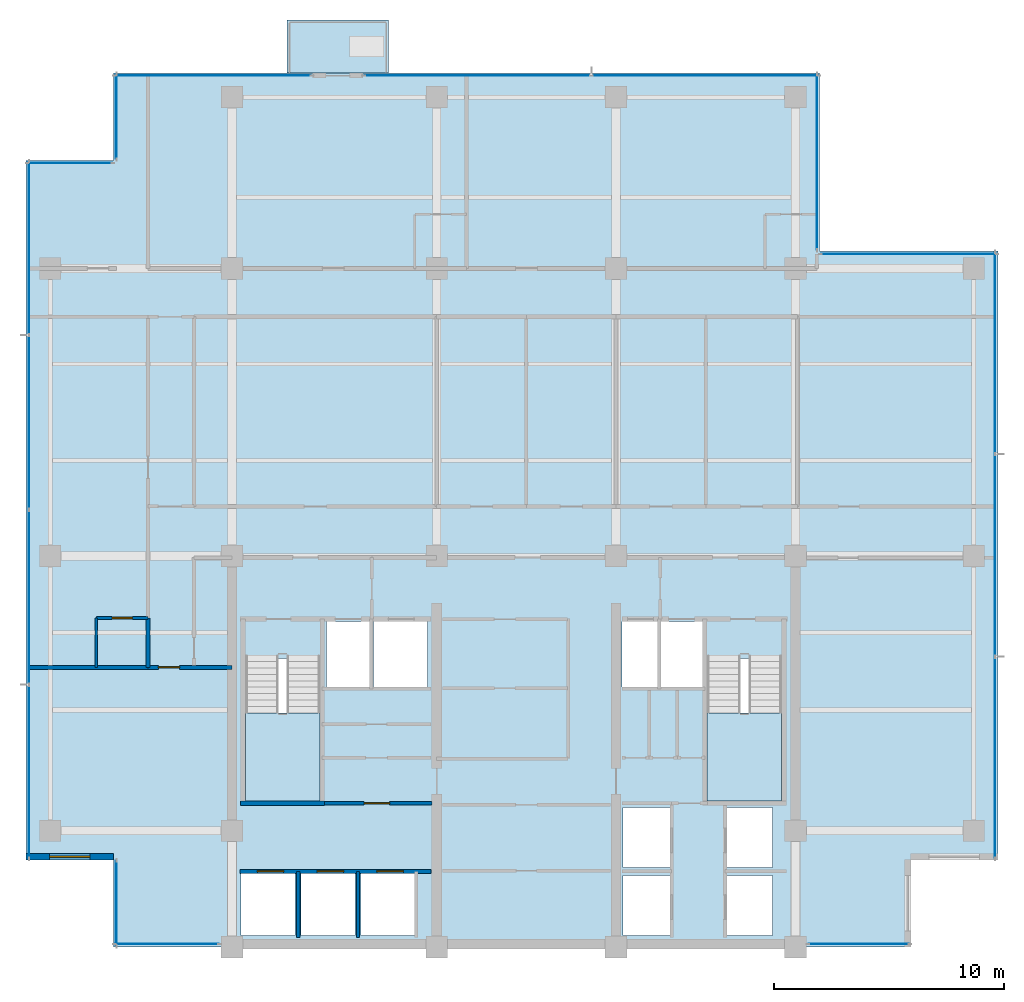
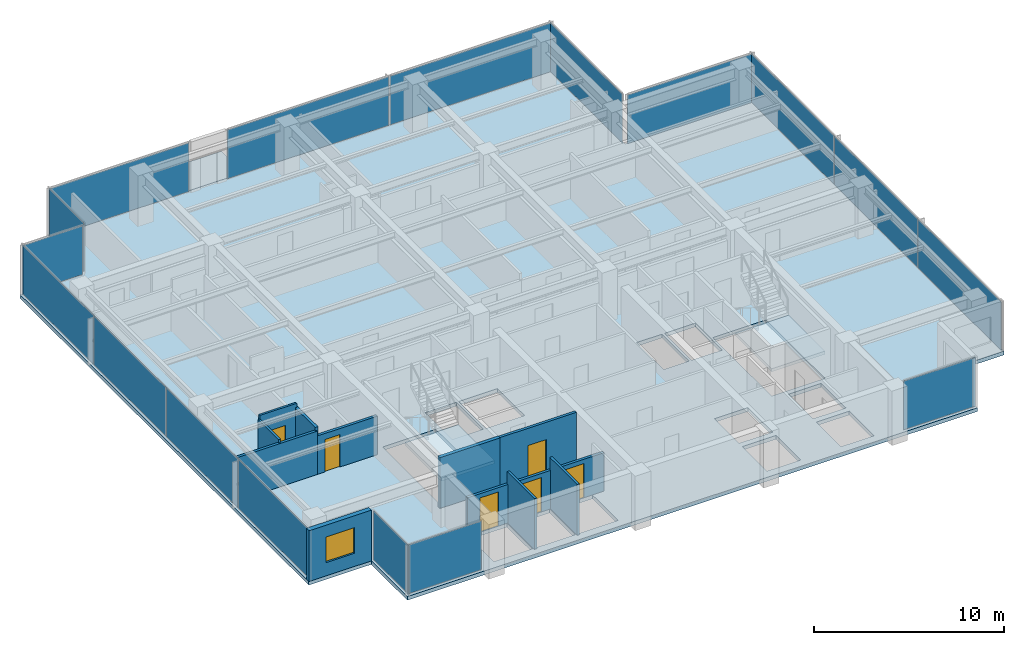
# One storey, part 6 of 14: 17 plates, 11 walls, 6 doors, 4 slabs, 1 window, 7 openings, 13 elements without a shape of their own.
"""IFC4 building model written with IfcOpenShell, lengths in metres."""

from ifc_helpers import new_model, si_unit, direction, frame, frame_2d, origin, origin_2d, place, context, subcontext, project, spatial, polyline, rectangle, outline, extrude, material, layer, layer_set, type_object, element, fill, aggregate, save


model = new_model("IFC4")

# Units and contexts
model_context = context("Model", 3, precision=1e-05, world=origin(), true_north=direction((0.0, 1.0)))
body_context = subcontext(model_context, "Body", "Model", "MODEL_VIEW")
ifc_project = project(units=[si_unit("LENGTHUNIT", "METRE"), si_unit("AREAUNIT", "SQUARE_METRE"), si_unit("VOLUMEUNIT", "CUBIC_METRE"), si_unit("PLANEANGLEUNIT", "RADIAN"), si_unit("MASSUNIT", "GRAM", prefix="KILO")], contexts=[model_context])

# Site, building, storey
site_placement = place(None, origin())
site = spatial("IfcSite", under=ifc_project, at=site_placement, CompositionType="ELEMENT")
building_placement = place(site_placement, origin())
building = spatial("IfcBuilding", under=site, at=building_placement, Name="Qalmaran Belvedere Hotel", CompositionType="ELEMENT")
storey_placement = place(building_placement, frame((0.0, 0.0, 217.89990234375)))
storey = spatial("IfcBuildingStorey", under=building, at=storey_placement, Name="L55", CompositionType="ELEMENT", Elevation=217.89990234375)

# Curtain wall, plate
ifc_material_1 = material(Name="Anodised Bronze Aluminium", Category="aluminium")
ifc_layer_1 = layer(ifc_material_1, 0.18994140625, Name="Anodised Bronze Aluminium")
ifc_layer_set_1 = layer_set([ifc_layer_1], Name="Anodised Bronze Aluminium")
curtain_wall_type = type_object("IfcCurtainWallType", Name="CW5-TOWER-UPPER", PredefinedType="NOTDEFINED", material=ifc_layer_set_1)
curtain_wall_1_placement = place(storey_placement, origin())
curtain_wall_1 = element("IfcCurtainWall", 1, at=curtain_wall_1_placement, inside=storey, type_object=curtain_wall_type, Name="L55 Curtain Wall CW5", PredefinedType="NOTDEFINED")
ifc_material_2 = material(Name="Solar-Control Double Glazing", Category="glass")
ifc_layer_2 = layer(ifc_material_2, 0.028076171875, Name="Solar-Control Double Glazing")
ifc_layer_set_2 = layer_set([ifc_layer_2], Name="Solar-Control Double Glazing")
plate_type = type_object("IfcPlateType", Name="CWP-VISION-28", PredefinedType="CURTAIN_PANEL", material=ifc_layer_set_2)
plate_1_placement = place(storey_placement, frame((17.467529296875, 3.6201171875, 0.065185546875), z_axis=(0.0, 0.0, 1.0), x_axis=(1.0, 0.0, 0.0)))
plate_1 = element("IfcPlate", 2, at=plate_1_placement, type_object=plate_type, Name="CW5 panel 1.1", PredefinedType="CURTAIN_PANEL", context=body_context, shape_type="SweptSolid", body=[
    extrude(rectangle(XDim=4.5048828125, YDim=0.028076171875, at=origin_2d()), origin(), (0.0, 0.0, 1.0), 3.1298828125),
])
aggregate(curtain_wall_1, [plate_1])

curtain_wall_2_placement = place(storey_placement, origin())
curtain_wall_2 = element("IfcCurtainWall", 3, at=curtain_wall_2_placement, inside=storey, type_object=curtain_wall_type, Name="L55 Curtain Wall CW5", PredefinedType="NOTDEFINED")
plate_2_placement = place(storey_placement, frame((47.5576171875, 3.6201171875, 0.065185546875), z_axis=(0.0, 0.0, 1.0), x_axis=(1.0, 0.0, 0.0)))
plate_2 = element("IfcPlate", 4, at=plate_2_placement, type_object=plate_type, Name="CW5 panel 1.1", PredefinedType="CURTAIN_PANEL", context=body_context, shape_type="SweptSolid", body=[
    extrude(rectangle(XDim=4.35498046875, YDim=0.028076171875, at=origin_2d()), origin(), (0.0, 0.0, 1.0), 3.1298828125),
])
aggregate(curtain_wall_2, [plate_2])

# Curtain wall, plates
curtain_wall_3_placement = place(storey_placement, origin())
curtain_wall_3 = element("IfcCurtainWall", 5, at=curtain_wall_3_placement, inside=storey, type_object=curtain_wall_type, Name="L55 Curtain Wall CW5", PredefinedType="NOTDEFINED")
plate_3_placement = place(storey_placement, frame((53.47998046875, 11.724609375, 0.065185546875), z_axis=(0.0, 0.0, 1.0), x_axis=(0.0, 1.0, 0.0)))
plate_3 = element("IfcPlate", 6, at=plate_3_placement, type_object=plate_type, Name="CW5 panel 1.1", PredefinedType="CURTAIN_PANEL", context=body_context, shape_type="SweptSolid", body=[
    extrude(rectangle(XDim=8.71923828125, YDim=0.028076171875, at=origin_2d()), origin(), (0.0, 0.0, 1.0), 3.1298828125),
])
plate_4_placement = place(storey_placement, frame((53.47998046875, 20.52490234375, 0.065185546875), z_axis=(0.0, 0.0, 1.0), x_axis=(0.0, 1.0, 0.0)))
plate_4 = element("IfcPlate", 7, at=plate_4_placement, type_object=plate_type, Name="CW5 panel 2.1", PredefinedType="CURTAIN_PANEL", context=body_context, shape_type="SweptSolid", body=[
    extrude(rectangle(XDim=8.751708984375, YDim=0.028076171875, at=origin_2d()), origin(), (0.0, 0.0, 1.0), 3.1298828125),
])
plate_5_placement = place(storey_placement, frame((53.47998046875, 29.325439453125, 0.065185546875), z_axis=(0.0, 0.0, 1.0), x_axis=(0.0, 1.0, 0.0)))
plate_5 = element("IfcPlate", 8, at=plate_5_placement, type_object=plate_type, Name="CW5 panel 3.1", PredefinedType="CURTAIN_PANEL", context=body_context, shape_type="SweptSolid", body=[
    extrude(rectangle(XDim=8.71923828125, YDim=0.028076171875, at=origin_2d()), origin(), (0.0, 0.0, 1.0), 3.1298828125),
])
aggregate(curtain_wall_3, [plate_3, plate_4, plate_5])

# Curtain wall, plate
curtain_wall_4_placement = place(storey_placement, origin())
curtain_wall_4 = element("IfcCurtainWall", 9, at=curtain_wall_4_placement, inside=storey, type_object=curtain_wall_type, Name="L55 Curtain Wall CW5", PredefinedType="NOTDEFINED")
plate_6_placement = place(storey_placement, frame((49.72509765625, 33.6298828125, 0.065185546875), z_axis=(0.0, 0.0, 1.0), x_axis=(-1.0, 0.0, 0.0)))
plate_6 = element("IfcPlate", 10, at=plate_6_placement, type_object=plate_type, Name="CW5 panel 1.1", PredefinedType="CURTAIN_PANEL", context=body_context, shape_type="SweptSolid", body=[
    extrude(rectangle(XDim=7.6201171875, YDim=0.028076171875, at=origin_2d()), origin(), (0.0, 0.0, 1.0), 3.1298828125),
])
aggregate(curtain_wall_4, [plate_6])

curtain_wall_5_placement = place(storey_placement, origin())
curtain_wall_5 = element("IfcCurtainWall", 11, at=curtain_wall_5_placement, inside=storey, type_object=curtain_wall_type, Name="L55 Curtain Wall CW5", PredefinedType="NOTDEFINED")
plate_7_placement = place(storey_placement, frame((45.72998046875, 37.625, 0.065185546875), z_axis=(0.0, 0.0, 1.0), x_axis=(0.0, 1.0, 0.0)))
plate_7 = element("IfcPlate", 12, at=plate_7_placement, type_object=plate_type, Name="CW5 panel 1.1", PredefinedType="CURTAIN_PANEL", context=body_context, shape_type="SweptSolid", body=[
    extrude(rectangle(XDim=7.6201171875, YDim=0.028076171875, at=origin_2d()), origin(), (0.0, 0.0, 1.0), 3.1298828125),
])
aggregate(curtain_wall_5, [plate_7])

curtain_wall_6_placement = place(storey_placement, origin())
curtain_wall_6 = element("IfcCurtainWall", 13, at=curtain_wall_6_placement, inside=storey, type_object=curtain_wall_type, Name="L55 Curtain Wall CW5", PredefinedType="NOTDEFINED")
plate_8_placement = place(storey_placement, frame((19.47509765625, 41.3798828125, 0.065185546875), z_axis=(0.0, 0.0, 1.0), x_axis=(-1.0, 0.0, 0.0)))
plate_8 = element("IfcPlate", 14, at=plate_8_placement, type_object=plate_type, Name="CW5 panel 1.1", PredefinedType="CURTAIN_PANEL", context=body_context, shape_type="SweptSolid", body=[
    extrude(rectangle(XDim=8.52001953125, YDim=0.028076171875, at=origin_2d()), origin(), (0.0, 0.0, 1.0), 3.1298828125),
])
aggregate(curtain_wall_6, [plate_8])

# Curtain wall, plates
curtain_wall_7_placement = place(storey_placement, origin())
curtain_wall_7 = element("IfcCurtainWall", 15, at=curtain_wall_7_placement, inside=storey, type_object=curtain_wall_type, Name="L55 Curtain Wall CW5", PredefinedType="NOTDEFINED")
plate_9_placement = place(storey_placement, frame((40.871337890625, 41.3798828125, 0.065185546875), z_axis=(0.0, 0.0, 1.0), x_axis=(-1.0, 0.0, 0.0)))
plate_9 = element("IfcPlate", 16, at=plate_9_placement, type_object=plate_type, Name="CW5 panel 1.1", PredefinedType="CURTAIN_PANEL", context=body_context, shape_type="SweptSolid", body=[
    extrude(rectangle(XDim=9.827392578125, YDim=0.028076171875, at=origin_2d()), origin(), (0.0, 0.0, 1.0), 3.1298828125),
])
plate_10_placement = place(storey_placement, frame((30.978759765625, 41.3798828125, 0.065185546875), z_axis=(0.0, 0.0, 1.0), x_axis=(-1.0, 0.0, 0.0)))
plate_10 = element("IfcPlate", 17, at=plate_10_placement, type_object=plate_type, Name="CW5 panel 2.1", PredefinedType="CURTAIN_PANEL", context=body_context, shape_type="SweptSolid", body=[
    extrude(rectangle(XDim=9.827392578125, YDim=0.028076171875, at=origin_2d()), origin(), (0.0, 0.0, 1.0), 3.1298828125),
])
aggregate(curtain_wall_7, [plate_9, plate_10])

# Curtain wall, plate
curtain_wall_8_placement = place(storey_placement, origin())
curtain_wall_8 = element("IfcCurtainWall", 18, at=curtain_wall_8_placement, inside=storey, type_object=curtain_wall_type, Name="L55 Curtain Wall CW5", PredefinedType="NOTDEFINED")
plate_11_placement = place(storey_placement, frame((15.27001953125, 39.60009765625, 0.065185546875), z_axis=(0.0, 0.0, 1.0), x_axis=(0.0, -1.0, 0.0)))
plate_11 = element("IfcPlate", 19, at=plate_11_placement, type_object=plate_type, Name="CW5 panel 1.1", PredefinedType="CURTAIN_PANEL", context=body_context, shape_type="SweptSolid", body=[
    extrude(rectangle(XDim=3.669921875, YDim=0.028076171875, at=origin_2d()), origin(), (0.0, 0.0, 1.0), 3.1298828125),
])
aggregate(curtain_wall_8, [plate_11])

curtain_wall_9_placement = place(storey_placement, origin())
curtain_wall_9 = element("IfcCurtainWall", 20, at=curtain_wall_9_placement, inside=storey, type_object=curtain_wall_type, Name="L55 Curtain Wall CW5", PredefinedType="NOTDEFINED")
plate_12_placement = place(storey_placement, frame((13.25, 37.580078125, 0.065185546875), z_axis=(0.0, 0.0, 1.0), x_axis=(-1.0, 0.0, 0.0)))
plate_12 = element("IfcPlate", 21, at=plate_12_placement, type_object=plate_type, Name="CW5 panel 1.1", PredefinedType="CURTAIN_PANEL", context=body_context, shape_type="SweptSolid", body=[
    extrude(rectangle(XDim=3.669921875, YDim=0.028076171875, at=origin_2d()), origin(), (0.0, 0.0, 1.0), 3.1298828125),
])
aggregate(curtain_wall_9, [plate_12])

# Curtain wall, plates
curtain_wall_10_placement = place(storey_placement, origin())
curtain_wall_10 = element("IfcCurtainWall", 22, at=curtain_wall_10_placement, inside=storey, type_object=curtain_wall_type, Name="L55 Curtain Wall CW5", PredefinedType="NOTDEFINED")
plate_13_placement = place(storey_placement, frame((11.469970703125, 33.8837890625, 0.065185546875), z_axis=(0.0, 0.0, 1.0), x_axis=(0.0, -1.0, 0.0)))
plate_13 = element("IfcPlate", 23, at=plate_13_placement, type_object=plate_type, Name="CW5 panel 1.1", PredefinedType="CURTAIN_PANEL", context=body_context, shape_type="SweptSolid", body=[
    extrude(rectangle(XDim=7.50244140625, YDim=0.028076171875, at=origin_2d()), origin(), (0.0, 0.0, 1.0), 3.1298828125),
])
plate_14_placement = place(storey_placement, frame((11.469970703125, 26.300048828125, 0.065185546875), z_axis=(0.0, 0.0, 1.0), x_axis=(0.0, -1.0, 0.0)))
plate_14 = element("IfcPlate", 24, at=plate_14_placement, type_object=plate_type, Name="CW5 panel 2.1", PredefinedType="CURTAIN_PANEL", context=body_context, shape_type="SweptSolid", body=[
    extrude(rectangle(XDim=7.534912109375, YDim=0.028076171875, at=origin_2d()), origin(), (0.0, 0.0, 1.0), 3.1298828125),
])
plate_15_placement = place(storey_placement, frame((11.469970703125, 18.699951171875, 0.065185546875), z_axis=(0.0, 0.0, 1.0), x_axis=(0.0, -1.0, 0.0)))
plate_15 = element("IfcPlate", 25, at=plate_15_placement, type_object=plate_type, Name="CW5 panel 3.1", PredefinedType="CURTAIN_PANEL", context=body_context, shape_type="SweptSolid", body=[
    extrude(rectangle(XDim=7.534912109375, YDim=0.028076171875, at=origin_2d()), origin(), (0.0, 0.0, 1.0), 3.1298828125),
])
plate_16_placement = place(storey_placement, frame((11.469970703125, 11.1162109375, 0.065185546875), z_axis=(0.0, 0.0, 1.0), x_axis=(0.0, -1.0, 0.0)))
plate_16 = element("IfcPlate", 26, at=plate_16_placement, type_object=plate_type, Name="CW5 panel 4.1", PredefinedType="CURTAIN_PANEL", context=body_context, shape_type="SweptSolid", body=[
    extrude(rectangle(XDim=7.50244140625, YDim=0.028076171875, at=origin_2d()), origin(), (0.0, 0.0, 1.0), 3.1298828125),
])
aggregate(curtain_wall_10, [plate_13, plate_14, plate_15, plate_16])

# Curtain wall, plate
curtain_wall_11_placement = place(storey_placement, origin())
curtain_wall_11 = element("IfcCurtainWall", 27, at=curtain_wall_11_placement, inside=storey, type_object=curtain_wall_type, Name="L55 Curtain Wall CW5", PredefinedType="NOTDEFINED")
plate_17_placement = place(storey_placement, frame((15.27001953125, 5.39990234375, 0.065185546875), z_axis=(0.0, 0.0, 1.0), x_axis=(0.0, -1.0, 0.0)))
plate_17 = element("IfcPlate", 28, at=plate_17_placement, type_object=plate_type, Name="CW5 panel 1.1", PredefinedType="CURTAIN_PANEL", context=body_context, shape_type="SweptSolid", body=[
    extrude(rectangle(XDim=3.669921875, YDim=0.028076171875, at=origin_2d()), origin(), (0.0, 0.0, 1.0), 3.1298828125),
])
aggregate(curtain_wall_11, [plate_17])

# Slab
ifc_material_3 = material(Name="Concrete C40/50", Category="concrete")
ifc_layer_3 = layer(ifc_material_3, 0.219970703125, Name="Concrete C40/50")
ifc_layer_set_3 = layer_set([ifc_layer_3], Name="Concrete C40/50")
slab_type_1 = type_object("IfcSlabType", Name="SLB-BAL-220", PredefinedType="USERDEFINED", material=ifc_layer_set_3)
slab_1_placement = place(storey_placement, frame((0.0, 0.0, -0.219970703125)))
element("IfcSlab", 29, at=slab_1_placement, inside=storey, type_object=slab_type_1, Name="L55 Planted Tree Balcony Slab 1", ObjectType="BALCONY", PredefinedType="USERDEFINED", context=body_context, shape_type="SweptSolid", body=[
    extrude(outline(polyline([(22.699951171875, 41.5), (27.10009765625, 41.5), (27.10009765625, 43.800048828125), (22.699951171875, 43.800048828125), (22.699951171875, 41.5)])), origin(), (0.0, 0.0, 1.0), 0.219970703125),
])

# Stair, slab
stair_type_1 = type_object("IfcStairType", Name="STR-ST-1-1450-R1750", PredefinedType="HALF_TURN_STAIR", material=ifc_material_3)
stair_1_placement = place(storey_placement, origin())
stair_1 = element("IfcStair", 30, at=stair_1_placement, inside=storey, type_object=stair_type_1, Name="L55 West Core Exit Stair ST-1", PredefinedType="HALF_TURN_STAIR")
ifc_layer_4 = layer(ifc_material_3, 0.199951171875, Name="Concrete C40/50")
ifc_layer_set_4 = layer_set([ifc_layer_4], Name="Concrete C40/50")
slab_type_2 = type_object("IfcSlabType", Name="SLB-STAIR-LANDING-200", PredefinedType="LANDING", material=ifc_layer_set_4)
slab_2_placement = place(storey_placement, frame((0.0, 0.0, 1.550048828125)))
slab_2 = element("IfcSlab", 31, at=slab_2_placement, type_object=slab_type_2, Name="ST-1 landing 1", PredefinedType="LANDING", context=body_context, shape_type="SweptSolid", body=[
    extrude(outline(polyline([(20.8798828125, 13.669921875), (20.8798828125, 9.85009765625), (24.1201171875, 9.85009765625), (24.1201171875, 13.669921875), (20.8798828125, 13.669921875)])), origin(), (0.0, 0.0, 1.0), 0.199951171875),
])
aggregate(stair_1, [slab_2])

stair_type_2 = type_object("IfcStairType", Name="STR-ST-2-1450-R1750", PredefinedType="HALF_TURN_STAIR", material=ifc_material_3)
stair_2_placement = place(storey_placement, origin())
stair_2 = element("IfcStair", 32, at=stair_2_placement, inside=storey, type_object=stair_type_2, Name="L55 East Core Exit Stair ST-2", PredefinedType="HALF_TURN_STAIR")
slab_3_placement = place(storey_placement, frame((0.0, 0.0, 1.550048828125)))
slab_3 = element("IfcSlab", 33, at=slab_3_placement, type_object=slab_type_2, Name="ST-2 landing 1", PredefinedType="LANDING", context=body_context, shape_type="SweptSolid", body=[
    extrude(outline(polyline([(40.9599609375, 13.669921875), (40.9599609375, 9.85009765625), (44.199951171875, 9.85009765625), (44.199951171875, 13.669921875), (40.9599609375, 13.669921875)])), origin(), (0.0, 0.0, 1.0), 0.199951171875),
])
aggregate(stair_2, [slab_3])

# Slab
ifc_layer_5 = layer(ifc_material_3, 0.239990234375, Name="Concrete C40/50")
ifc_layer_set_5 = layer_set([ifc_layer_5], Name="Concrete C40/50")
slab_type_3 = type_object("IfcSlabType", Name="SLB-Z4-240", PredefinedType="FLOOR", material=ifc_layer_set_5)
slab_4_placement = place(storey_placement, frame((0.0, 0.0, -0.239990234375)))
element("IfcSlab", 34, at=slab_4_placement, inside=storey, type_object=slab_type_3, Name="L55 Structural Floor Slab", PredefinedType="FLOOR", context=body_context, shape_type="SweptSolid", body=[
    extrude(outline(polyline([(15.14990234375, 3.5), (49.800048828125, 3.5), (49.800048828125, 7.300048828125), (53.60009765625, 7.300048828125), (53.60009765625, 33.75), (45.85009765625, 33.75), (45.85009765625, 41.5), (15.14990234375, 41.5), (15.14990234375, 37.699951171875), (11.35009765625, 37.699951171875), (11.35009765625, 7.300048828125), (15.14990234375, 7.300048828125), (15.14990234375, 3.5)]), holes=[polyline([(20.8798828125, 9.85009765625), (24.1201171875, 9.85009765625), (24.1201171875, 16.0400390625), (20.8798828125, 16.0400390625), (20.8798828125, 9.85009765625)]), polyline([(40.9599609375, 9.85009765625), (44.199951171875, 9.85009765625), (44.199951171875, 16.0400390625), (40.9599609375, 16.0400390625), (40.9599609375, 9.85009765625)]), polyline([(37.300048828125, 4.0), (39.35009765625, 4.0), (39.35009765625, 6.60009765625), (37.300048828125, 6.60009765625), (37.300048828125, 4.0)]), polyline([(37.300048828125, 6.949951171875), (39.35009765625, 6.949951171875), (39.35009765625, 9.550048828125), (37.300048828125, 9.550048828125), (37.300048828125, 6.949951171875)]), polyline([(41.800048828125, 4.0), (43.800048828125, 4.0), (43.800048828125, 6.60009765625), (41.800048828125, 6.60009765625), (41.800048828125, 4.0)]), polyline([(41.800048828125, 6.949951171875), (43.800048828125, 6.949951171875), (43.800048828125, 9.550048828125), (41.800048828125, 9.550048828125), (41.800048828125, 6.949951171875)]), polyline([(20.699951171875, 4.0), (23.050048828125, 4.0), (23.050048828125, 6.699951171875), (20.699951171875, 6.699951171875), (20.699951171875, 4.0)]), polyline([(23.300048828125, 4.0), (25.64990234375, 4.0), (25.64990234375, 6.699951171875), (23.300048828125, 6.699951171875), (23.300048828125, 4.0)]), polyline([(25.89990234375, 4.0), (28.25, 4.0), (28.25, 6.699951171875), (25.89990234375, 6.699951171875), (25.89990234375, 4.0)]), polyline([(24.39990234375, 14.800048828125), (26.300048828125, 14.800048828125), (26.300048828125, 17.64990234375), (24.39990234375, 17.64990234375), (24.39990234375, 14.800048828125)]), polyline([(38.949951171875, 14.800048828125), (40.820068359375, 14.800048828125), (40.820068359375, 17.64990234375), (38.949951171875, 17.64990234375), (38.949951171875, 14.800048828125)]), polyline([(26.449951171875, 14.800048828125), (28.800048828125, 14.800048828125), (28.800048828125, 17.64990234375), (26.449951171875, 17.64990234375), (26.449951171875, 14.800048828125)]), polyline([(37.25, 14.800048828125), (38.800048828125, 14.800048828125), (38.800048828125, 17.64990234375), (37.25, 17.64990234375), (37.25, 14.800048828125)])]), origin(), (0.0, 0.0, 1.0), 0.239990234375),
])

# Wall, opening, window
ifc_material_4 = material(Name="Anodised Bronze Cladding")
ifc_layer_6 = layer(ifc_material_4, 0.280029296875, Name="Anodised Bronze Cladding")
ifc_layer_set_6 = layer_set([ifc_layer_6], Name="Anodised Bronze Cladding")
wall_type_1 = type_object("IfcWallType", Name="WL-EXT-BRNZ-280", PredefinedType="SOLIDWALL", material=ifc_layer_set_6)
wall_1_placement = place(storey_placement, frame((11.35009765625, 7.419921875, 0.0), z_axis=(0.0, 0.0, 1.0), x_axis=(1.0, 0.0, 0.0)))
wall_1 = element("IfcWall", 35, at=wall_1_placement, inside=storey, type_object=wall_type_1, Name="L55 Corner Notch Wall 10", PredefinedType="SOLIDWALL", context=body_context, shape_type="SweptSolid", body=[
    extrude(rectangle(XDim=3.7998046875, YDim=0.280029296875, at=frame_2d((1.89990234375, 0.0))), origin(), (0.0, 0.0, 1.0), 3.260009765625),
])
opening_1_placement = place(wall_1_placement, frame((1.02490234375, 0.0, 0.85009765625)))
opening_1 = element("IfcOpeningElement", 36, at=opening_1_placement, cuts=wall_1, Name="Opening W-N17", PredefinedType="OPENING", context=body_context, shape_type="SweptSolid", body=[
    extrude(rectangle(XDim=1.75, YDim=1.64990234375, at=frame_2d((0.875, 0.824951171875))), frame((0.0, 0.14990234375, 0.0), z_axis=(0.0, -1.0, 0.0), x_axis=(1.0, 0.0, 0.0)), (0.0, 0.0, 1.0), 0.300048828125),
])
window_type = type_object("IfcWindowType", Name="WN-NTC-1750X1650", PartitioningType="SINGLE_PANEL", PredefinedType="WINDOW", material=ifc_material_2)
window_placement = place(opening_1_placement, origin())
window = element("IfcWindow", 37, at=window_placement, inside=storey, type_object=window_type, Name="L55 Corner Notch Window 10", OverallHeight=1.64990234375, OverallWidth=1.75, PartitioningType="SINGLE_PANEL", PredefinedType="WINDOW", context=body_context, shape_type="SweptSolid", body=[
    extrude(rectangle(XDim=1.75, YDim=1.64990234375, at=frame_2d((0.875, 0.824951171875))), frame((0.0, 0.030029296875, 0.0), z_axis=(0.0, -1.0, 0.0), x_axis=(1.0, 0.0, 0.0)), (0.0, 0.0, 1.0), 0.06005859375),
])
fill(opening_1, window)

# Wall, opening, door
ifc_material_5 = material(Name="Moisture-Resistant Gypsum")
ifc_layer_7 = layer(ifc_material_5, 0.1201171875, Name="Moisture-Resistant Gypsum")
ifc_layer_set_7 = layer_set([ifc_layer_7], Name="Moisture-Resistant Gypsum")
wall_type_2 = type_object("IfcWallType", Name="WL-INT-120-BATH", PredefinedType="PARTITIONING", material=ifc_layer_set_7)
wall_2_placement = place(storey_placement, frame((14.39990234375, 17.800048828125, 0.0), z_axis=(0.0, 0.0, 1.0), x_axis=(1.0, 0.0, 0.0)))
wall_2 = element("IfcWall", 38, at=wall_2_placement, inside=storey, type_object=wall_type_2, Name="L55 Partition WL-L55-WBN00", PredefinedType="PARTITIONING", context=body_context, shape_type="SweptSolid", body=[
    extrude(rectangle(XDim=2.25, YDim=0.1201171875, at=frame_2d((1.125, 0.0))), origin(), (0.0, 0.0, 1.0), 3.260009765625),
])
opening_2_placement = place(wall_2_placement, frame((1.56494140625, 0.0, 0.0), z_axis=(0.0, 0.0, 1.0), x_axis=(-1.0, 0.0, 0.0)))
opening_2 = element("IfcOpeningElement", 39, at=opening_2_placement, cuts=wall_2, Name="Opening D-BATH", PredefinedType="OPENING", context=body_context, shape_type="SweptSolid", body=[
    extrude(rectangle(XDim=0.8798828125, YDim=2.080078125, at=frame_2d((0.43994140625, 1.0400390625))), frame((0.0, 0.070068359375, 0.0), z_axis=(0.0, -1.0, 0.0), x_axis=(1.0, 0.0, 0.0)), (0.0, 0.0, 1.0), 0.14013671875),
])
ifc_material_6 = material(Name="Engineered Oak Veneer")
door_type_1 = type_object("IfcDoorType", Name="DR-INT-BATH-880X2080", OperationType="NOTDEFINED", PredefinedType="DOOR", material=ifc_material_6)
door_1_placement = place(opening_2_placement, origin())
door_1 = element("IfcDoor", 40, at=door_1_placement, inside=storey, type_object=door_type_1, Name="L55 W Ensuite Door 01", OperationType="SINGLE_SWING_LEFT", OverallHeight=2.080078125, OverallWidth=0.8798828125, PredefinedType="DOOR", context=body_context, shape_type="SweptSolid", body=[
    extrude(rectangle(XDim=0.8798828125, YDim=2.080078125, at=frame_2d((0.43994140625, 1.0400390625))), frame((0.0, 0.02490234375, 0.0), z_axis=(0.0, -1.0, 0.0), x_axis=(1.0, 0.0, 0.0)), (0.0, 0.0, 1.0), 0.050048828125),
])
fill(opening_2, door_1)

# Walls
wall_3_placement = place(storey_placement, frame((14.39990234375, 15.64990234375, 0.0), z_axis=(0.0, 0.0, 1.0), x_axis=(0.0, 1.0, 0.0)))
element("IfcWall", 41, at=wall_3_placement, inside=storey, type_object=wall_type_2, Name="L55 Partition WL-L55-WBS00", PredefinedType="PARTITIONING", context=body_context, shape_type="SweptSolid", body=[
    extrude(rectangle(XDim=2.150146484375, YDim=0.1201171875, at=frame_2d((1.0751953125, 0.0))), origin(), (0.0, 0.0, 1.0), 2.998046875),
])
ifc_material_7 = material(Name="Gypsum Stud Partition")
ifc_layer_8 = layer(ifc_material_7, 0.14990234375, Name="Gypsum Stud Partition")
ifc_layer_set_8 = layer_set([ifc_layer_8], Name="Gypsum Stud Partition")
wall_type_3 = type_object("IfcWallType", Name="WL-INT-150-EI120", PredefinedType="PARTITIONING", material=ifc_layer_set_8)
for number, where, z_axis, x_axis, name in (
    (42, (23.179931640625, 3.89990234375, 0.0), (0.0, 0.0, 1.0), (0.0, 1.0, 0.0), "L55 Partition WL-POM1-L55"),
    (43, (25.780029296875, 3.89990234375, 0.0), (0.0, 0.0, 1.0), (0.0, 1.0, 0.0), "L55 Partition WL-POM2-L55"),
):
    element("IfcWall", number, at=place(storey_placement, frame(where, z_axis=z_axis, x_axis=x_axis)), inside=storey, type_object=wall_type_3, Name=name, PredefinedType="PARTITIONING", context=body_context, shape_type="SweptSolid", body=[
        extrude(rectangle(XDim=2.880126953125, YDim=0.14990234375, at=frame_2d((1.43994140625, 0.0))), origin(), (0.0, 0.0, 1.0), 3.260009765625),
    ])

# Wall, openings, doors
ifc_layer_9 = layer(ifc_material_7, 0.159912109375, Name="Gypsum Stud Partition")
ifc_layer_set_9 = layer_set([ifc_layer_9], Name="Gypsum Stud Partition")
wall_type_4 = type_object("IfcWallType", Name="WL-INT-160-EI120", PredefinedType="PARTITIONING", material=ifc_layer_set_9)
wall_4_placement = place(storey_placement, frame((20.64990234375, 6.780029296875, 0.0), z_axis=(0.0, 0.0, 1.0), x_axis=(1.0, 0.0, 0.0)))
wall_4 = element("IfcWall", 44, at=wall_4_placement, inside=storey, type_object=wall_type_4, Name="L55 Partition WL-POS-L55", PredefinedType="PARTITIONING", context=body_context, shape_type="SweptSolid", body=[
    extrude(rectangle(XDim=8.300048828125, YDim=0.159912109375, at=frame_2d((4.14990234375, 0.0))), origin(), (0.0, 0.0, 1.0), 2.47216796875),
])
opening_3_placement = place(wall_4_placement, frame((0.75, 0.0, 0.0)))
opening_3 = element("IfcOpeningElement", 45, at=opening_3_placement, cuts=wall_4, Name="Opening LD-PO", PredefinedType="OPENING", context=body_context, shape_type="SweptSolid", body=[
    extrude(rectangle(XDim=1.14990234375, YDim=2.199951171875, at=frame_2d((0.574951171875, 1.10009765625))), frame((0.0, 0.08984375, 0.0), z_axis=(0.0, -1.0, 0.0), x_axis=(1.0, 0.0, 0.0)), (0.0, 0.0, 1.0), 0.179931640625),
])
opening_4_placement = place(wall_4_placement, frame((3.35009765625, 0.0, 0.0)))
opening_4 = element("IfcOpeningElement", 46, at=opening_4_placement, cuts=wall_4, Name="Opening LD-PO", PredefinedType="OPENING", context=body_context, shape_type="SweptSolid", body=[
    extrude(rectangle(XDim=1.14990234375, YDim=2.199951171875, at=frame_2d((0.574951171875, 1.10009765625))), frame((0.0, 0.08984375, 0.0), z_axis=(0.0, -1.0, 0.0), x_axis=(1.0, 0.0, 0.0)), (0.0, 0.0, 1.0), 0.179931640625),
])
opening_5_placement = place(wall_4_placement, frame((5.949951171875, 0.0, 0.0)))
opening_5 = element("IfcOpeningElement", 47, at=opening_5_placement, cuts=wall_4, Name="Opening LD-PO", PredefinedType="OPENING", context=body_context, shape_type="SweptSolid", body=[
    extrude(rectangle(XDim=1.14990234375, YDim=2.199951171875, at=frame_2d((0.574951171875, 1.10009765625))), frame((0.0, 0.08984375, 0.0), z_axis=(0.0, -1.0, 0.0), x_axis=(1.0, 0.0, 0.0)), (0.0, 0.0, 1.0), 0.179931640625),
])
door_type_2 = type_object("IfcDoorType", Name="DR-LIFT-PO-1150X2200", OperationType="DOUBLE_DOOR_SLIDING", PredefinedType="DOOR", material=ifc_material_1)
door_2_placement = place(opening_3_placement, origin())
door_2 = element("IfcDoor", 48, at=door_2_placement, inside=storey, type_object=door_type_2, Name="L55 PO1 Shuttle Landing Door", OperationType="DOUBLE_DOOR_SLIDING", OverallHeight=2.199951171875, OverallWidth=1.14990234375, PredefinedType="DOOR", context=body_context, shape_type="SweptSolid", body=[
    extrude(rectangle(XDim=1.14990234375, YDim=2.199951171875, at=frame_2d((0.574951171875, 1.10009765625))), frame((0.0, 0.02490234375, 0.0), z_axis=(0.0, -1.0, 0.0), x_axis=(1.0, 0.0, 0.0)), (0.0, 0.0, 1.0), 0.050048828125),
])
fill(opening_3, door_2)
door_3_placement = place(opening_4_placement, origin())
door_3 = element("IfcDoor", 49, at=door_3_placement, inside=storey, type_object=door_type_2, Name="L55 PO2 Shuttle Landing Door", OperationType="DOUBLE_DOOR_SLIDING", OverallHeight=2.199951171875, OverallWidth=1.14990234375, PredefinedType="DOOR", context=body_context, shape_type="SweptSolid", body=[
    extrude(rectangle(XDim=1.14990234375, YDim=2.199951171875, at=frame_2d((0.574951171875, 1.10009765625))), frame((0.0, 0.02490234375, 0.0), z_axis=(0.0, -1.0, 0.0), x_axis=(1.0, 0.0, 0.0)), (0.0, 0.0, 1.0), 0.050048828125),
])
fill(opening_4, door_3)
door_4_placement = place(opening_5_placement, origin())
door_4 = element("IfcDoor", 50, at=door_4_placement, inside=storey, type_object=door_type_2, Name="L55 PO3 Shuttle Landing Door", OperationType="DOUBLE_DOOR_SLIDING", OverallHeight=2.199951171875, OverallWidth=1.14990234375, PredefinedType="DOOR", context=body_context, shape_type="SweptSolid", body=[
    extrude(rectangle(XDim=1.14990234375, YDim=2.199951171875, at=frame_2d((0.574951171875, 1.10009765625))), frame((0.0, 0.02490234375, 0.0), z_axis=(0.0, -1.0, 0.0), x_axis=(1.0, 0.0, 0.0)), (0.0, 0.0, 1.0), 0.050048828125),
])
fill(opening_5, door_4)

# Wall, opening, door
wall_5_placement = place(storey_placement, frame((24.199951171875, 9.739990234375, 0.0), z_axis=(0.0, 0.0, 1.0), x_axis=(1.0, 0.0, 0.0)))
wall_5 = element("IfcWall", 51, at=wall_5_placement, inside=storey, type_object=wall_type_4, Name="L55 Partition WL-PON-L55", PredefinedType="PARTITIONING", context=body_context, shape_type="SweptSolid", body=[
    extrude(rectangle(XDim=4.800048828125, YDim=0.159912109375, at=frame_2d((2.39990234375, 0.0))), origin(), (0.0, 0.0, 1.0), 3.260009765625),
])
opening_6_placement = place(wall_5_placement, frame((1.85009765625, 0.0, 0.0)))
opening_6 = element("IfcOpeningElement", 52, at=opening_6_placement, cuts=wall_5, Name="Opening FD90", PredefinedType="OPENING", context=body_context, shape_type="SweptSolid", body=[
    extrude(rectangle(XDim=1.10009765625, YDim=2.14990234375, at=frame_2d((0.550048828125, 1.074951171875))), frame((0.0, 0.08984375, 0.0), z_axis=(0.0, -1.0, 0.0), x_axis=(1.0, 0.0, 0.0)), (0.0, 0.0, 1.0), 0.179931640625),
])
ifc_material_8 = material(Name="Steel S355JR", Category="steel")
door_type_3 = type_object("IfcDoorType", Name="DR-FD90-1100X2150", OperationType="NOTDEFINED", PredefinedType="DOOR", material=ifc_material_8)
door_5_placement = place(opening_6_placement, origin())
door_5 = element("IfcDoor", 53, at=door_5_placement, inside=storey, type_object=door_type_3, Name="L55 Shuttle Lobby Passage Door", OperationType="SINGLE_SWING_RIGHT", OverallHeight=2.14990234375, OverallWidth=1.10009765625, PredefinedType="DOOR", context=body_context, shape_type="SweptSolid", body=[
    extrude(rectangle(XDim=1.10009765625, YDim=2.14990234375, at=frame_2d((0.550048828125, 1.074951171875))), frame((0.0, 0.02490234375, 0.0), z_axis=(0.0, -1.0, 0.0), x_axis=(1.0, 0.0, 0.0)), (0.0, 0.0, 1.0), 0.050048828125),
])
fill(opening_6, door_5)

ifc_layer_10 = layer(ifc_material_7, 0.159912109375, Name="Gypsum Stud Partition")
ifc_layer_set_10 = layer_set([ifc_layer_10], Name="Gypsum Stud Partition")
wall_type_5 = type_object("IfcWallType", Name="WL-INT-160-EI60", PredefinedType="PARTITIONING", material=ifc_layer_set_10)
wall_6_placement = place(storey_placement, frame((16.64990234375, 15.64990234375, 0.0), z_axis=(0.0, 0.0, 1.0), x_axis=(1.0, 0.0, 0.0)))
wall_6 = element("IfcWall", 54, at=wall_6_placement, inside=storey, type_object=wall_type_5, Name="L55 Partition WL-L55-SWRL", PredefinedType="PARTITIONING", context=body_context, shape_type="SweptSolid", body=[
    extrude(rectangle(XDim=3.650146484375, YDim=0.159912109375, at=frame_2d((1.8251953125, 0.0))), origin(), (0.0, 0.0, 1.0), 2.47216796875),
])
opening_7_placement = place(wall_6_placement, frame((1.369873046875, 0.0, 0.0), z_axis=(0.0, 0.0, 1.0), x_axis=(-1.0, 0.0, 0.0)))
opening_7 = element("IfcOpeningElement", 55, at=opening_7_placement, cuts=wall_6, Name="Opening FD60S1", PredefinedType="OPENING", context=body_context, shape_type="SweptSolid", body=[
    extrude(rectangle(XDim=0.919921875, YDim=2.080078125, at=frame_2d((0.4599609375, 1.0400390625))), frame((0.0, 0.08984375, 0.0), z_axis=(0.0, -1.0, 0.0), x_axis=(1.0, 0.0, 0.0)), (0.0, 0.0, 1.0), 0.179931640625),
])
door_type_4 = type_object("IfcDoorType", Name="DR-FD60S-920X2080", OperationType="NOTDEFINED", PredefinedType="DOOR", material=ifc_material_6)
door_6_placement = place(opening_7_placement, origin())
door_6 = element("IfcDoor", 56, at=door_6_placement, inside=storey, type_object=door_type_4, Name="L55 SW Study Door", OperationType="SINGLE_SWING_RIGHT", OverallHeight=2.080078125, OverallWidth=0.919921875, PredefinedType="DOOR", context=body_context, shape_type="SweptSolid", body=[
    extrude(rectangle(XDim=0.919921875, YDim=2.080078125, at=frame_2d((0.4599609375, 1.0400390625))), frame((0.0, 0.02490234375, 0.0), z_axis=(0.0, -1.0, 0.0), x_axis=(1.0, 0.0, 0.0)), (0.0, 0.0, 1.0), 0.050048828125),
])
fill(opening_7, door_6)

# Walls
wall_7_placement = place(storey_placement, frame((11.469970703125, 15.64990234375, 0.0), z_axis=(0.0, 0.0, 1.0), x_axis=(1.0, 0.0, 0.0)))
element("IfcWall", 57, at=wall_7_placement, inside=storey, type_object=wall_type_5, Name="L55 Partition WL-L55-WBOT", PredefinedType="PARTITIONING", context=body_context, shape_type="SweptSolid", body=[
    extrude(rectangle(XDim=5.179931640625, YDim=0.159912109375, at=frame_2d((2.58984375, 0.0))), origin(), (0.0, 0.0, 1.0), 2.781982421875),
])
ifc_layer_11 = layer(ifc_material_7, 0.179931640625, Name="Gypsum Stud Partition")
ifc_layer_set_11 = layer_set([ifc_layer_11], Name="Gypsum Stud Partition")
wall_type_6 = type_object("IfcWallType", Name="WL-INT-180-EI60", PredefinedType="PARTITIONING", material=ifc_layer_set_11)
wall_8_placement = place(storey_placement, frame((16.64990234375, 15.64990234375, 0.0), z_axis=(0.0, 0.0, 1.0), x_axis=(0.0, 1.0, 0.0)))
element("IfcWall", 58, at=wall_8_placement, inside=storey, type_object=wall_type_6, Name="L55 Partition WL-L55-WBC00", PredefinedType="PARTITIONING", context=body_context, shape_type="SweptSolid", body=[
    extrude(rectangle(XDim=2.150146484375, YDim=0.179931640625, at=frame_2d((1.0751953125, 0.0))), origin(), (0.0, 0.0, 1.0), 2.998046875),
])
ifc_material_9 = material(Name="Concrete C50/60", Category="concrete")
ifc_layer_12 = layer(ifc_material_9, 0.2099609375, Name="Concrete C50/60")
ifc_layer_set_12 = layer_set([ifc_layer_12], Name="Concrete C50/60")
wall_type_7 = type_object("IfcWallType", Name="WL-STAIR-210-C50", PredefinedType="SHEAR", material=ifc_layer_set_12)
wall_9_placement = place(storey_placement, frame((20.669921875, 9.7451171875, 0.0), z_axis=(0.0, 0.0, 1.0), x_axis=(1.0, 0.0, 0.0)))
element("IfcWall", 59, at=wall_9_placement, inside=storey, type_object=wall_type_7, Name="L55 Stair ST-1 South Bearing Wall", PredefinedType="SHEAR", context=body_context, shape_type="SweptSolid", body=[
    extrude(rectangle(XDim=3.66015625, YDim=0.2099609375, at=frame_2d((1.830078125, 0.0))), origin(), (0.0, 0.0, 1.0), 3.260009765625),
])

save(model, "model.ifc")
